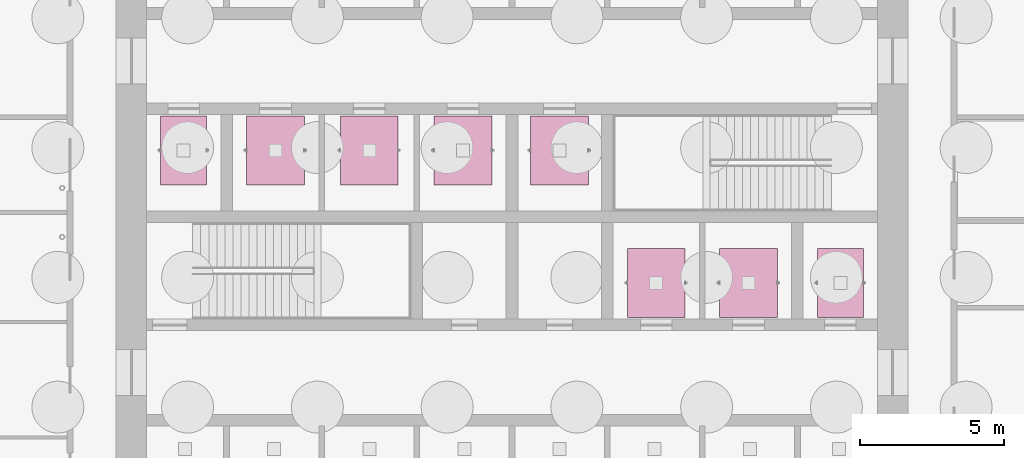
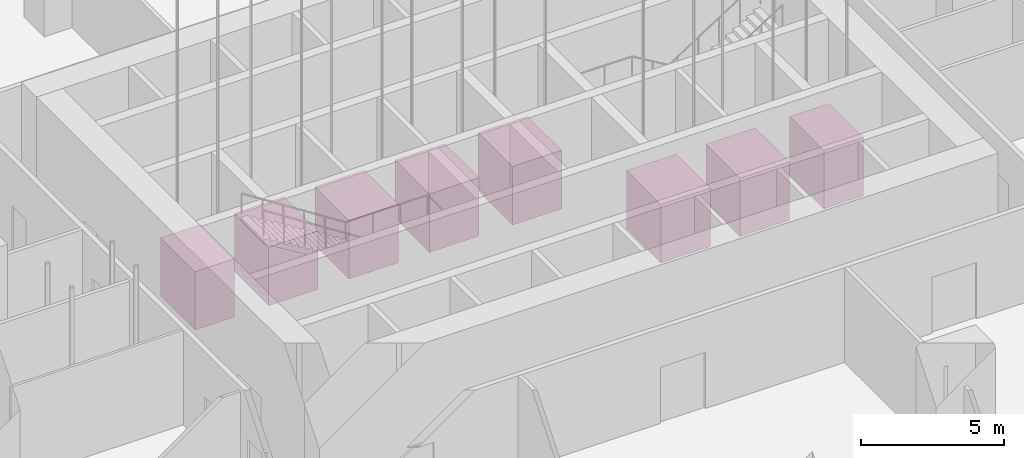
# One storey, part 8 of 17: 8 transport elements.
"""IFC4 building model written with IfcOpenShell, lengths in metres."""

import ifcopenshell
import ifcopenshell.guid

model = None  # the IFC model being written
_history = None  # IfcOwnerHistory: only IFC2X3 demands one
_inside = {}  # id of a spatial element -> (the spatial element, [elements in it])
_under = {}  # id of a project, library or spatial element -> (it, [spatial elements below it])
_declared = {}  # id of a project -> (the project, [libraries it declares])
_typed = {}  # id of a type object -> (the type object, [elements of that type])
_made_of = {}  # id of a material, layer set ... -> (it, [elements and type objects made of it])


def new_model(schema):
    """Start an empty IFC model of exactly this schema.

    Asked for "IFC4X3", IfcOpenShell would pick the latest addendum, in which some entities
    have other attributes; the version numbers below select the first issue.
    IFC2X3 requires an IfcOwnerHistory on every rooted entity: one is made here for all.
    """
    global model, _history
    if schema == "IFC4X3":
        model = ifcopenshell.file(schema_version=(4, 3, 0, 0))
    else:
        model = ifcopenshell.file(schema=schema)
    _inside.clear()
    _under.clear()
    _declared.clear()
    _typed.clear()
    _made_of.clear()
    _history = None
    if model.schema == "IFC2X3":
        org = make("IfcOrganization", Name="unknown")
        user = make(
            "IfcPersonAndOrganization",
            ThePerson=make("IfcPerson", FamilyName="unknown"),
            TheOrganization=org,
        )
        app = make(
            "IfcApplication",
            ApplicationDeveloper=org,
            Version="unknown",
            ApplicationFullName="unknown",
            ApplicationIdentifier="unknown",
        )
        _history = make(
            "IfcOwnerHistory",
            OwningUser=user,
            OwningApplication=app,
            ChangeAction="ADDED",
            CreationDate=0,
        )
    return model


def make(cls, **values):
    """One entity of the class cls with the attributes given. An attribute that is None is left unset."""
    return model.create_entity(
        cls, **{name: value for name, value in values.items() if value is not None}
    )


def rooted(cls, **values):
    """An entity with a GlobalId (a new one), such as an element, a storey or a relation."""
    return make(cls, GlobalId=ifcopenshell.guid.new(), OwnerHistory=_history, **values)


def si_unit(unit_type, name, prefix=None):
    """IfcSIUnit, for example si_unit("LENGTHUNIT", "METRE", prefix="MILLI")."""
    return make("IfcSIUnit", UnitType=unit_type, Prefix=prefix, Name=name)


def assignment(units):
    """IfcUnitAssignment: the units of a project."""
    return None if units is None else make("IfcUnitAssignment", Units=units)


def point(xyz):
    """IfcCartesianPoint."""
    return None if xyz is None else make("IfcCartesianPoint", Coordinates=xyz)


def direction(xyz):
    """IfcDirection."""
    return None if xyz is None else make("IfcDirection", DirectionRatios=xyz)


def frame(location, z_axis=None, x_axis=None):
    """IfcAxis2Placement3D, a coordinate frame: its origin and axes. An axis left out is left unset."""
    return make(
        "IfcAxis2Placement3D",
        Location=point(location),
        Axis=direction(z_axis),
        RefDirection=direction(x_axis),
    )


def frame_2d(location, x_axis=None):
    """IfcAxis2Placement2D, a coordinate frame in the plane: its origin and x axis."""
    return make(
        "IfcAxis2Placement2D", Location=point(location), RefDirection=direction(x_axis)
    )


def origin():
    """The frame at (0, 0, 0) with its axes left unset."""
    return frame((0.0, 0.0, 0.0))


def origin_2d():
    """The frame at (0, 0) in the plane with its x axis left unset."""
    return frame_2d((0.0, 0.0))


def place(relative_to, where):
    """IfcLocalPlacement: puts the frame where relative to a parent placement (None: the world)."""
    return make(
        "IfcLocalPlacement", PlacementRelTo=relative_to, RelativePlacement=where
    )


def context(
    kind, dimensions, precision=None, world=None, true_north=None, identifier=None
):
    """IfcGeometricRepresentationContext, for example the 3D "Model" context."""
    return make(
        "IfcGeometricRepresentationContext",
        ContextIdentifier=identifier,
        ContextType=kind,
        CoordinateSpaceDimension=dimensions,
        Precision=precision,
        WorldCoordinateSystem=world,
        TrueNorth=true_north,
    )


def subcontext(parent, identifier, kind, view, scale=None):
    """IfcGeometricRepresentationSubContext, for example "Body" below "Model"."""
    return make(
        "IfcGeometricRepresentationSubContext",
        ContextIdentifier=identifier,
        ContextType=kind,
        ParentContext=parent,
        TargetScale=scale,
        TargetView=view,
    )


def project(units=None, contexts=None):
    """IfcProject with its units and contexts."""
    return rooted(
        "IfcProject",
        Name="project",
        RepresentationContexts=contexts,
        UnitsInContext=assignment(units),
    )


def spatial(cls, under=None, at=None, **own):
    """A site, building, storey or space (cls), placed at a placement, below another one or the project."""
    s = rooted(cls, ObjectPlacement=at, **own)
    if under is not None:
        _under.setdefault(under.id(), (under, []))[1].append(s)
    return s


def profile(cls, at=None, kind="AREA", **sizes):
    """A parametric profile (cls). Its sizes go by their IFC names, for example OverallWidth=200.0."""
    return make(cls, ProfileType=kind, Position=at, **sizes)


def rectangle(**sizes):
    """IfcRectangleProfileDef."""
    return profile("IfcRectangleProfileDef", **sizes)


def extrude(swept, where, along, depth):
    """IfcExtrudedAreaSolid: the profile swept, set in the frame where, extruded along a direction by depth."""
    return make(
        "IfcExtrudedAreaSolid",
        SweptArea=swept,
        Position=where,
        ExtrudedDirection=direction(along),
        Depth=depth,
    )


def shape(context_of_items, identifier, shape_type, items):
    """IfcShapeRepresentation: the items that make up one representation, for example the "Body"."""
    return make(
        "IfcShapeRepresentation",
        ContextOfItems=context_of_items,
        RepresentationIdentifier=identifier,
        RepresentationType=shape_type,
        Items=items,
    )


def material(Name=None, Category=None):
    """IfcMaterial."""
    return make("IfcMaterial", Name=Name, Category=Category)


def made_of(thing, what):
    """Note that an element or type object is made of a material, layer set ...; save() writes the relation."""
    if what is not None:
        _made_of.setdefault(what.id(), (what, []))[1].append(thing)
    return thing


def type_object(cls, material=None, **own):
    """A type object (cls), such as IfcWallType, which elements share."""
    return made_of(rooted(cls, **own), material)


def element(
    cls,
    number,
    at=None,
    inside=None,
    cuts=None,
    type_object=None,
    material=None,
    context=None,
    identifier="Body",
    shape_type=None,
    held_by="IfcProductDefinitionShape",
    body=None,
    shapes=None,
    **own,
):
    """One element of the class cls, such as IfcWall. Its Tag is "e" and its number.

    at: its placement. inside: the storey or other place that contains it. cuts: it is an
    opening in that element (IfcRelVoidsElement). A single representation is given by context,
    identifier, shape_type and body (its items); several are given by shapes. held_by: the class
    of the entity that holds the representations. save() writes the other relations.
    """
    e = rooted(cls, Tag="e%d" % number, ObjectPlacement=at, **own)
    if body is not None:
        shapes = [shape(context, identifier, shape_type, body)]
    if shapes is not None:
        e.Representation = make(held_by, Representations=shapes)
    if inside is not None:
        _inside.setdefault(inside.id(), (inside, []))[1].append(e)
    if cuts is not None:
        rooted(
            "IfcRelVoidsElement", RelatingBuildingElement=cuts, RelatedOpeningElement=e
        )
    if type_object is not None:
        _typed.setdefault(type_object.id(), (type_object, []))[1].append(e)
    return made_of(e, material)


def aggregate(whole, parts):
    """IfcRelAggregates: a whole, such as a stair, and the parts it consists of."""
    return rooted("IfcRelAggregates", RelatingObject=whole, RelatedObjects=parts)


def save(model, path):
    """Write the relations noted so far, then the file.

    IfcRelAggregates (storeys below a building ...), IfcRelContainedInSpatialStructure (elements
    in a storey), IfcRelDefinesByType, IfcRelAssociatesMaterial and IfcRelDeclares: one each for
    every whole, place, type object, material and project.
    """
    for whole, parts in _under.values():
        aggregate(whole, parts)
    for where, things in _inside.values():
        rooted(
            "IfcRelContainedInSpatialStructure",
            RelatedElements=things,
            RelatingStructure=where,
        )
    for kind, things in _typed.values():
        rooted("IfcRelDefinesByType", RelatedObjects=things, RelatingType=kind)
    for what, things in _made_of.values():
        rooted("IfcRelAssociatesMaterial", RelatedObjects=things, RelatingMaterial=what)
    for by, libraries in _declared.values():
        rooted("IfcRelDeclares", RelatingContext=by, RelatedDefinitions=libraries)
    model.write(path)


model = new_model("IFC4")

# Units and contexts
model_context = context("Model", 3, precision=1e-05, world=origin(), true_north=direction((0.0, 1.0)))
body_context = subcontext(model_context, "Body", "Model", "MODEL_VIEW")
ifc_project = project(units=[si_unit("LENGTHUNIT", "METRE"), si_unit("AREAUNIT", "SQUARE_METRE"), si_unit("VOLUMEUNIT", "CUBIC_METRE"), si_unit("PLANEANGLEUNIT", "RADIAN"), si_unit("MASSUNIT", "GRAM", prefix="KILO")], contexts=[model_context])

# Site, building, storey
site_placement = place(None, origin())
site = spatial("IfcSite", under=ifc_project, at=site_placement, CompositionType="ELEMENT")
building_placement = place(site_placement, origin())
building = spatial("IfcBuilding", under=site, at=building_placement, Name="Cobogo Forest Laboratory Tower", CompositionType="ELEMENT")
storey_placement = place(building_placement, frame((0.0, 0.0, -5.39990234375)))
storey = spatial("IfcBuildingStorey", under=building, at=storey_placement, Name="L-01", CompositionType="ELEMENT", Elevation=-5.39990234375)

# Transport elements
ifc_material = material(Name="Lift car", Category="lift")
transport_element_type_1 = type_object("IfcTransportElementType", Name="LF firefighting and goods lift 2000 kg", PredefinedType="ELEVATOR", material=ifc_material)
for number, where, z_axis, x_axis, name in (
    (1, (15.012451171875, 25.25, 0.0), (0.0, 0.0, 1.0), (1.0, 0.0, 0.0), "FL1"),
    (2, (37.78759765625, 20.64990234375, 0.0), (0.0, 0.0, 1.0), (1.0, 0.0, 0.0), "FL2"),
):
    element("IfcTransportElement", number, at=place(storey_placement, frame(where, z_axis=z_axis, x_axis=x_axis)), inside=storey, type_object=transport_element_type_1, Name=name, PredefinedType="ELEVATOR", context=body_context, shape_type="SweptSolid", body=[
        extrude(rectangle(XDim=1.60009765625, YDim=2.39990234375, at=origin_2d()), origin(), (0.0, 0.0, 1.0), 2.5),
    ])
transport_element_type_2 = type_object("IfcTransportElementType", Name="LS service and evacuation lift 2500 kg", PredefinedType="ELEVATOR", material=ifc_material)
for number, where, z_axis, x_axis, name in (
    (3, (31.39990234375, 20.64990234375, 0.0), (0.0, 0.0, 1.0), (1.0, 0.0, 0.0), "LS1"),
    (4, (34.60009765625, 20.64990234375, 0.0), (0.0, 0.0, 1.0), (1.0, 0.0, 0.0), "LS2"),
    (5, (18.199951171875, 25.25, 0.0), (0.0, 0.0, 1.0), (1.0, 0.0, 0.0), "LS3"),
    (6, (21.449951171875, 25.25, 0.0), (0.0, 0.0, 1.0), (1.0, 0.0, 0.0), "LS4"),
    (7, (24.699951171875, 25.25, 0.0), (0.0, 0.0, 1.0), (1.0, 0.0, 0.0), "LS5"),
    (8, (28.050048828125, 25.25, 0.0), (0.0, 0.0, 1.0), (1.0, 0.0, 0.0), "LS6"),
):
    element("IfcTransportElement", number, at=place(storey_placement, frame(where, z_axis=z_axis, x_axis=x_axis)), inside=storey, type_object=transport_element_type_2, Name=name, PredefinedType="ELEVATOR", context=body_context, shape_type="SweptSolid", body=[
        extrude(rectangle(XDim=2.0, YDim=2.39990234375, at=origin_2d()), origin(), (0.0, 0.0, 1.0), 2.5),
    ])

save(model, "model.ifc")
